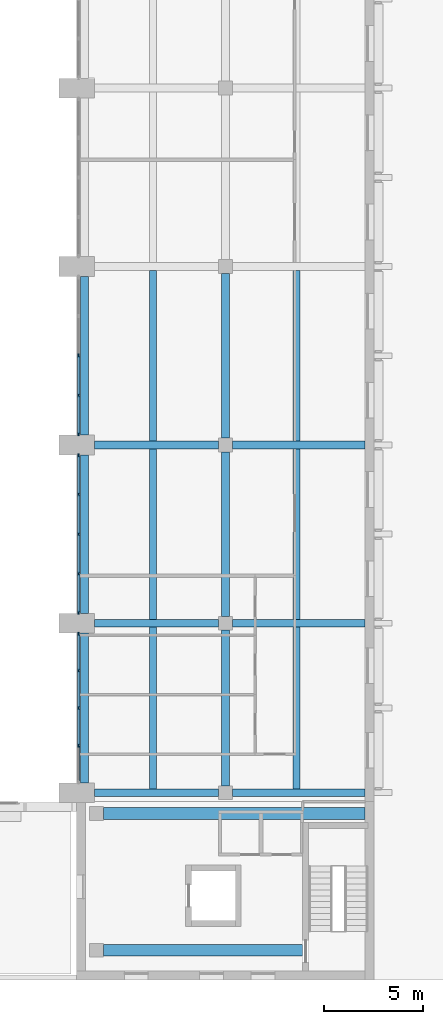
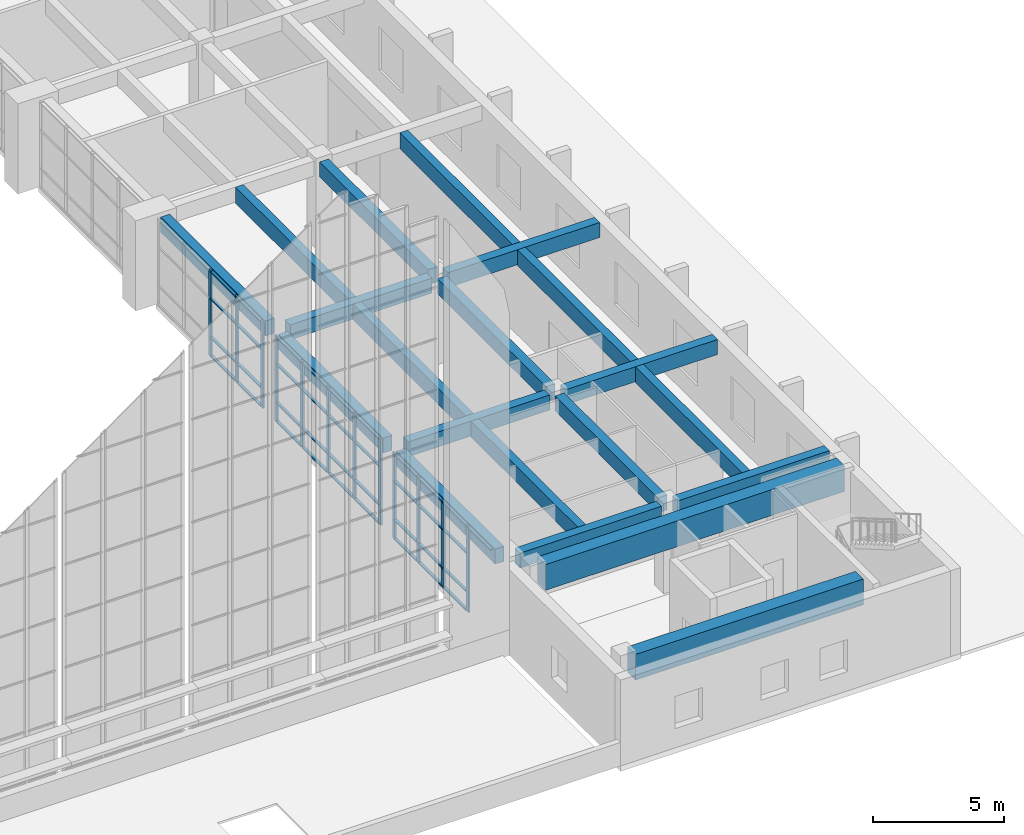
# One storey, part 6 of 45: 49 members, 20 beams, 3 elements without a shape of their own.
"""IFC4 building model written with IfcOpenShell, lengths in metres."""

from ifc_helpers import new_model, si_unit, direction, frame, origin, origin_2d, place, context, subcontext, project, spatial, rectangle, extrude, material, material_profile, profile_set, type_object, element, aggregate, save


model = new_model("IFC4")

# Units and contexts
model_context = context("Model", 3, precision=1e-05, world=origin(), true_north=direction((0.0, 1.0)))
body_context = subcontext(model_context, "Body", "Model", "MODEL_VIEW")
ifc_project = project(units=[si_unit("LENGTHUNIT", "METRE"), si_unit("AREAUNIT", "SQUARE_METRE"), si_unit("VOLUMEUNIT", "CUBIC_METRE"), si_unit("PLANEANGLEUNIT", "RADIAN"), si_unit("MASSUNIT", "GRAM", prefix="KILO")], contexts=[model_context])

# Site, building, storey
site_placement = place(None, origin())
site = spatial("IfcSite", under=ifc_project, at=site_placement, CompositionType="ELEMENT")
building_placement = place(site_placement, origin())
building = spatial("IfcBuilding", under=site, at=building_placement, Name="Elmora Arch Market Hall", CompositionType="ELEMENT")
storey_placement = place(building_placement, frame((0.0, 0.0, 6.0)))
storey = spatial("IfcBuildingStorey", under=building, at=storey_placement, Name="L01", CompositionType="ELEMENT", Elevation=6.0)

# Beams
ifc_material_1 = material(Name="Concrete C32/40", Category="concrete")
ifc_material_profile_1 = material_profile(ifc_material_1, rectangle(XDim=0.60009765625, YDim=1.199951171875, at=origin_2d()), Name="Corner block girder 600x1200")
ifc_profile_set_1 = profile_set([ifc_material_profile_1], Name="Concrete C32/40")
beam_type_1 = type_object("IfcBeamType", Name="Corner block girder 600x1200", PredefinedType="BEAM", material=ifc_profile_set_1)
beam_1_placement = place(storey_placement, frame((44.35009765625, 19.5, 3.39990234375), z_axis=(1.0, 0.0, 0.0), x_axis=(0.0, 1.0, 0.0)))
element("IfcBeam", 1, at=beam_1_placement, inside=storey, type_object=beam_type_1, Name="Corner block girder SER1 L01.1", PredefinedType="BEAM", context=body_context, shape_type="SweptSolid", body=[
    extrude(rectangle(XDim=0.60009765625, YDim=1.199951171875, at=origin_2d()), origin(), (0.0, 0.0, 1.0), 10.0498046875),
])
beam_2_placement = place(storey_placement, frame((44.35009765625, 26.39990234375, 3.39990234375), z_axis=(1.0, 0.0, 0.0), x_axis=(0.0, 1.0, 0.0)))
element("IfcBeam", 2, at=beam_2_placement, inside=storey, type_object=beam_type_1, Name="Corner block girder SER2 L01.1", PredefinedType="BEAM", context=body_context, shape_type="SweptSolid", body=[
    extrude(rectangle(XDim=0.60009765625, YDim=1.199951171875, at=origin_2d()), origin(), (0.0, 0.0, 1.0), 13.199951171875),
])

# Curtain wall, members
ifc_material_2 = material(Name="Aluminium", Category="aluminium")
curtain_wall_type = type_object("IfcCurtainWallType", Name="Hall front curtain wall", PredefinedType="NOTDEFINED", material=ifc_material_2)
curtain_wall_1_placement = place(storey_placement, origin())
curtain_wall_1 = element("IfcCurtainWall", 3, at=curtain_wall_1_placement, inside=storey, type_object=curtain_wall_type, Name="Wing front E L01 1", PredefinedType="NOTDEFINED")
ifc_material_3 = material(Name="Aluminium", Category="aluminium")
ifc_material_profile_2 = material_profile(ifc_material_3, rectangle(XDim=0.080078125, YDim=0.179931640625, at=origin_2d()), Name="AL 80x180")
ifc_profile_set_2 = profile_set([ifc_material_profile_2], Name="Aluminium")
member_type_1 = type_object("IfcMemberType", Name="Mullion 80x180", PredefinedType="MULLION", material=ifc_profile_set_2)
member_1_placement = place(storey_placement, frame((43.10009765625, 29.83740234375, 0.0), z_axis=(0.0, 0.0, 1.0), x_axis=(-1.0, 0.0, 0.0)))
member_1 = element("IfcMember", 4, at=member_1_placement, type_object=member_type_1, Name="CW2 mullion 2", PredefinedType="MULLION", context=body_context, shape_type="SweptSolid", body=[
    extrude(rectangle(XDim=0.080078125, YDim=0.179931640625, at=origin_2d()), origin(), (0.0, 0.0, 1.0), 4.0),
])
member_2_placement = place(storey_placement, frame((43.10009765625, 31.72509765625, 0.0), z_axis=(0.0, 0.0, 1.0), x_axis=(-1.0, 0.0, 0.0)))
member_2 = element("IfcMember", 5, at=member_2_placement, type_object=member_type_1, Name="CW2 mullion 3", PredefinedType="MULLION", context=body_context, shape_type="SweptSolid", body=[
    extrude(rectangle(XDim=0.080078125, YDim=0.179931640625, at=origin_2d()), origin(), (0.0, 0.0, 1.0), 4.0),
])
member_3_placement = place(storey_placement, frame((43.10009765625, 33.612548828125, 0.0), z_axis=(0.0, 0.0, 1.0), x_axis=(-1.0, 0.0, 0.0)))
member_3 = element("IfcMember", 6, at=member_3_placement, type_object=member_type_1, Name="CW2 mullion 4", PredefinedType="MULLION", context=body_context, shape_type="SweptSolid", body=[
    extrude(rectangle(XDim=0.080078125, YDim=0.179931640625, at=origin_2d()), origin(), (0.0, 0.0, 1.0), 4.0),
])
member_4_placement = place(storey_placement, frame((43.10009765625, 35.4599609375, 0.0), z_axis=(0.0, 0.0, 1.0), x_axis=(-1.0, 0.0, 0.0)))
member_4 = element("IfcMember", 7, at=member_4_placement, type_object=member_type_1, Name="CW2 mullion 5", PredefinedType="MULLION", context=body_context, shape_type="SweptSolid", body=[
    extrude(rectangle(XDim=0.080078125, YDim=0.179931640625, at=origin_2d()), origin(), (0.0, 0.0, 1.0), 4.0),
])

curtain_wall_2_placement = place(storey_placement, origin())
curtain_wall_2 = element("IfcCurtainWall", 8, at=curtain_wall_2_placement, inside=storey, type_object=curtain_wall_type, Name="Wing front E L01 2", PredefinedType="NOTDEFINED")
member_5_placement = place(storey_placement, frame((43.10009765625, 36.5400390625, 0.0), z_axis=(0.0, 0.0, 1.0), x_axis=(-1.0, 0.0, 0.0)))
member_5 = element("IfcMember", 9, at=member_5_placement, type_object=member_type_1, Name="CW2 mullion 1", PredefinedType="MULLION", context=body_context, shape_type="SweptSolid", body=[
    extrude(rectangle(XDim=0.080078125, YDim=0.179931640625, at=origin_2d()), origin(), (0.0, 0.0, 1.0), 4.0),
])
member_6_placement = place(storey_placement, frame((43.10009765625, 38.5, 0.0), z_axis=(0.0, 0.0, 1.0), x_axis=(-1.0, 0.0, 0.0)))
member_6 = element("IfcMember", 10, at=member_6_placement, type_object=member_type_1, Name="CW2 mullion 2", PredefinedType="MULLION", context=body_context, shape_type="SweptSolid", body=[
    extrude(rectangle(XDim=0.080078125, YDim=0.179931640625, at=origin_2d()), origin(), (0.0, 0.0, 1.0), 4.0),
])
member_7_placement = place(storey_placement, frame((43.10009765625, 40.5, 0.0), z_axis=(0.0, 0.0, 1.0), x_axis=(-1.0, 0.0, 0.0)))
member_7 = element("IfcMember", 11, at=member_7_placement, type_object=member_type_1, Name="CW2 mullion 3", PredefinedType="MULLION", context=body_context, shape_type="SweptSolid", body=[
    extrude(rectangle(XDim=0.080078125, YDim=0.179931640625, at=origin_2d()), origin(), (0.0, 0.0, 1.0), 4.0),
])
member_8_placement = place(storey_placement, frame((43.10009765625, 42.5, 0.0), z_axis=(0.0, 0.0, 1.0), x_axis=(-1.0, 0.0, 0.0)))
member_8 = element("IfcMember", 12, at=member_8_placement, type_object=member_type_1, Name="CW2 mullion 4", PredefinedType="MULLION", context=body_context, shape_type="SweptSolid", body=[
    extrude(rectangle(XDim=0.080078125, YDim=0.179931640625, at=origin_2d()), origin(), (0.0, 0.0, 1.0), 4.0),
])
member_9_placement = place(storey_placement, frame((43.10009765625, 44.4599609375, 0.0), z_axis=(0.0, 0.0, 1.0), x_axis=(-1.0, 0.0, 0.0)))
member_9 = element("IfcMember", 13, at=member_9_placement, type_object=member_type_1, Name="CW2 mullion 5", PredefinedType="MULLION", context=body_context, shape_type="SweptSolid", body=[
    extrude(rectangle(XDim=0.080078125, YDim=0.179931640625, at=origin_2d()), origin(), (0.0, 0.0, 1.0), 4.0),
])

curtain_wall_3_placement = place(storey_placement, origin())
curtain_wall_3 = element("IfcCurtainWall", 14, at=curtain_wall_3_placement, inside=storey, type_object=curtain_wall_type, Name="Wing front E L01 3", PredefinedType="NOTDEFINED")
member_10_placement = place(storey_placement, frame((43.10009765625, 45.5400390625, 0.0), z_axis=(0.0, 0.0, 1.0), x_axis=(-1.0, 0.0, 0.0)))
member_10 = element("IfcMember", 15, at=member_10_placement, type_object=member_type_1, Name="CW2 mullion 1", PredefinedType="MULLION", context=body_context, shape_type="SweptSolid", body=[
    extrude(rectangle(XDim=0.080078125, YDim=0.179931640625, at=origin_2d()), origin(), (0.0, 0.0, 1.0), 4.0),
])
member_11_placement = place(storey_placement, frame((43.10009765625, 47.5, 0.0), z_axis=(0.0, 0.0, 1.0), x_axis=(-1.0, 0.0, 0.0)))
member_11 = element("IfcMember", 16, at=member_11_placement, type_object=member_type_1, Name="CW2 mullion 2", PredefinedType="MULLION", context=body_context, shape_type="SweptSolid", body=[
    extrude(rectangle(XDim=0.080078125, YDim=0.179931640625, at=origin_2d()), origin(), (0.0, 0.0, 1.0), 4.0),
])
member_12_placement = place(storey_placement, frame((43.10009765625, 49.5, 0.0), z_axis=(0.0, 0.0, 1.0), x_axis=(-1.0, 0.0, 0.0)))
member_12 = element("IfcMember", 17, at=member_12_placement, type_object=member_type_1, Name="CW2 mullion 3", PredefinedType="MULLION", context=body_context, shape_type="SweptSolid", body=[
    extrude(rectangle(XDim=0.080078125, YDim=0.179931640625, at=origin_2d()), origin(), (0.0, 0.0, 1.0), 4.0),
])

# Member
ifc_material_4 = material(Name="Aluminium", Category="aluminium")
ifc_material_profile_3 = material_profile(ifc_material_4, rectangle(XDim=0.1201171875, YDim=0.06005859375, at=origin_2d()), Name="AL 120x60")
ifc_profile_set_3 = profile_set([ifc_material_profile_3], Name="Aluminium")
member_type_2 = type_object("IfcMemberType", Name="Transom 120x60", PredefinedType="USERDEFINED", material=ifc_profile_set_3)
member_13_placement = place(storey_placement, frame((43.10009765625, 28.030029296875, 3.969970703125), z_axis=(0.0, 1.0, 0.0), x_axis=(-1.0, 0.0, 0.0)))
member_13 = element("IfcMember", 18, at=member_13_placement, type_object=member_type_2, Name="CW2 transom 1.4", ObjectType="TRANSOM", PredefinedType="USERDEFINED", context=body_context, shape_type="SweptSolid", body=[
    extrude(rectangle(XDim=0.1201171875, YDim=0.06005859375, at=origin_2d()), origin(), (0.0, 0.0, 1.0), 1.767578125),
])

member_14_placement = place(storey_placement, frame((43.10009765625, 29.87744140625, 0.030029296875), z_axis=(0.0, 1.0, 0.0), x_axis=(-1.0, 0.0, 0.0)))
member_14 = element("IfcMember", 19, at=member_14_placement, type_object=member_type_2, Name="CW2 transom 2.1", ObjectType="TRANSOM", PredefinedType="USERDEFINED", context=body_context, shape_type="SweptSolid", body=[
    extrude(rectangle(XDim=0.1201171875, YDim=0.06005859375, at=origin_2d()), origin(), (0.0, 0.0, 1.0), 1.8076171875),
])

member_15_placement = place(storey_placement, frame((43.10009765625, 29.87744140625, 0.89990234375), z_axis=(0.0, 1.0, 0.0), x_axis=(-1.0, 0.0, 0.0)))
member_15 = element("IfcMember", 20, at=member_15_placement, type_object=member_type_2, Name="CW2 transom 2.2", ObjectType="TRANSOM", PredefinedType="USERDEFINED", context=body_context, shape_type="SweptSolid", body=[
    extrude(rectangle(XDim=0.1201171875, YDim=0.06005859375, at=origin_2d()), origin(), (0.0, 0.0, 1.0), 1.8076171875),
])

member_16_placement = place(storey_placement, frame((43.10009765625, 29.87744140625, 2.699951171875), z_axis=(0.0, 1.0, 0.0), x_axis=(-1.0, 0.0, 0.0)))
member_16 = element("IfcMember", 21, at=member_16_placement, type_object=member_type_2, Name="CW2 transom 2.3", ObjectType="TRANSOM", PredefinedType="USERDEFINED", context=body_context, shape_type="SweptSolid", body=[
    extrude(rectangle(XDim=0.1201171875, YDim=0.06005859375, at=origin_2d()), origin(), (0.0, 0.0, 1.0), 1.8076171875),
])

member_17_placement = place(storey_placement, frame((43.10009765625, 29.87744140625, 3.969970703125), z_axis=(0.0, 1.0, 0.0), x_axis=(-1.0, 0.0, 0.0)))
member_17 = element("IfcMember", 22, at=member_17_placement, type_object=member_type_2, Name="CW2 transom 2.4", ObjectType="TRANSOM", PredefinedType="USERDEFINED", context=body_context, shape_type="SweptSolid", body=[
    extrude(rectangle(XDim=0.1201171875, YDim=0.06005859375, at=origin_2d()), origin(), (0.0, 0.0, 1.0), 1.8076171875),
])

member_18_placement = place(storey_placement, frame((43.10009765625, 31.764892578125, 0.030029296875), z_axis=(0.0, 1.0, 0.0), x_axis=(-1.0, 0.0, 0.0)))
member_18 = element("IfcMember", 23, at=member_18_placement, type_object=member_type_2, Name="CW2 transom 3.1", ObjectType="TRANSOM", PredefinedType="USERDEFINED", context=body_context, shape_type="SweptSolid", body=[
    extrude(rectangle(XDim=0.1201171875, YDim=0.06005859375, at=origin_2d()), origin(), (0.0, 0.0, 1.0), 1.8076171875),
])

member_19_placement = place(storey_placement, frame((43.10009765625, 31.764892578125, 0.89990234375), z_axis=(0.0, 1.0, 0.0), x_axis=(-1.0, 0.0, 0.0)))
member_19 = element("IfcMember", 24, at=member_19_placement, type_object=member_type_2, Name="CW2 transom 3.2", ObjectType="TRANSOM", PredefinedType="USERDEFINED", context=body_context, shape_type="SweptSolid", body=[
    extrude(rectangle(XDim=0.1201171875, YDim=0.06005859375, at=origin_2d()), origin(), (0.0, 0.0, 1.0), 1.8076171875),
])

member_20_placement = place(storey_placement, frame((43.10009765625, 31.764892578125, 2.699951171875), z_axis=(0.0, 1.0, 0.0), x_axis=(-1.0, 0.0, 0.0)))
member_20 = element("IfcMember", 25, at=member_20_placement, type_object=member_type_2, Name="CW2 transom 3.3", ObjectType="TRANSOM", PredefinedType="USERDEFINED", context=body_context, shape_type="SweptSolid", body=[
    extrude(rectangle(XDim=0.1201171875, YDim=0.06005859375, at=origin_2d()), origin(), (0.0, 0.0, 1.0), 1.8076171875),
])

member_21_placement = place(storey_placement, frame((43.10009765625, 31.764892578125, 3.969970703125), z_axis=(0.0, 1.0, 0.0), x_axis=(-1.0, 0.0, 0.0)))
member_21 = element("IfcMember", 26, at=member_21_placement, type_object=member_type_2, Name="CW2 transom 3.4", ObjectType="TRANSOM", PredefinedType="USERDEFINED", context=body_context, shape_type="SweptSolid", body=[
    extrude(rectangle(XDim=0.1201171875, YDim=0.06005859375, at=origin_2d()), origin(), (0.0, 0.0, 1.0), 1.8076171875),
])

member_22_placement = place(storey_placement, frame((43.10009765625, 33.652587890625, 0.030029296875), z_axis=(0.0, 1.0, 0.0), x_axis=(-1.0, 0.0, 0.0)))
member_22 = element("IfcMember", 27, at=member_22_placement, type_object=member_type_2, Name="CW2 transom 4.1", ObjectType="TRANSOM", PredefinedType="USERDEFINED", context=body_context, shape_type="SweptSolid", body=[
    extrude(rectangle(XDim=0.1201171875, YDim=0.06005859375, at=origin_2d()), origin(), (0.0, 0.0, 1.0), 1.767333984375),
])

member_23_placement = place(storey_placement, frame((43.10009765625, 33.652587890625, 0.89990234375), z_axis=(0.0, 1.0, 0.0), x_axis=(-1.0, 0.0, 0.0)))
member_23 = element("IfcMember", 28, at=member_23_placement, type_object=member_type_2, Name="CW2 transom 4.2", ObjectType="TRANSOM", PredefinedType="USERDEFINED", context=body_context, shape_type="SweptSolid", body=[
    extrude(rectangle(XDim=0.1201171875, YDim=0.06005859375, at=origin_2d()), origin(), (0.0, 0.0, 1.0), 1.767333984375),
])

member_24_placement = place(storey_placement, frame((43.10009765625, 33.652587890625, 2.699951171875), z_axis=(0.0, 1.0, 0.0), x_axis=(-1.0, 0.0, 0.0)))
member_24 = element("IfcMember", 29, at=member_24_placement, type_object=member_type_2, Name="CW2 transom 4.3", ObjectType="TRANSOM", PredefinedType="USERDEFINED", context=body_context, shape_type="SweptSolid", body=[
    extrude(rectangle(XDim=0.1201171875, YDim=0.06005859375, at=origin_2d()), origin(), (0.0, 0.0, 1.0), 1.767333984375),
])

member_25_placement = place(storey_placement, frame((43.10009765625, 33.652587890625, 3.969970703125), z_axis=(0.0, 1.0, 0.0), x_axis=(-1.0, 0.0, 0.0)))
member_25 = element("IfcMember", 30, at=member_25_placement, type_object=member_type_2, Name="CW2 transom 4.4", ObjectType="TRANSOM", PredefinedType="USERDEFINED", context=body_context, shape_type="SweptSolid", body=[
    extrude(rectangle(XDim=0.1201171875, YDim=0.06005859375, at=origin_2d()), origin(), (0.0, 0.0, 1.0), 1.767333984375),
])

aggregate(curtain_wall_1, [member_1, member_2, member_3, member_4, member_13, member_14, member_15, member_16, member_17, member_18, member_19, member_20, member_21, member_22, member_23, member_24, member_25])

member_26_placement = place(storey_placement, frame((43.10009765625, 36.580078125, 0.030029296875), z_axis=(0.0, 1.0, 0.0), x_axis=(-1.0, 0.0, 0.0)))
member_26 = element("IfcMember", 31, at=member_26_placement, type_object=member_type_2, Name="CW2 transom 1.1", ObjectType="TRANSOM", PredefinedType="USERDEFINED", context=body_context, shape_type="SweptSolid", body=[
    extrude(rectangle(XDim=0.1201171875, YDim=0.06005859375, at=origin_2d()), origin(), (0.0, 0.0, 1.0), 1.8798828125),
])

member_27_placement = place(storey_placement, frame((43.10009765625, 36.580078125, 0.89990234375), z_axis=(0.0, 1.0, 0.0), x_axis=(-1.0, 0.0, 0.0)))
member_27 = element("IfcMember", 32, at=member_27_placement, type_object=member_type_2, Name="CW2 transom 1.2", ObjectType="TRANSOM", PredefinedType="USERDEFINED", context=body_context, shape_type="SweptSolid", body=[
    extrude(rectangle(XDim=0.1201171875, YDim=0.06005859375, at=origin_2d()), origin(), (0.0, 0.0, 1.0), 1.8798828125),
])

member_28_placement = place(storey_placement, frame((43.10009765625, 36.580078125, 2.699951171875), z_axis=(0.0, 1.0, 0.0), x_axis=(-1.0, 0.0, 0.0)))
member_28 = element("IfcMember", 33, at=member_28_placement, type_object=member_type_2, Name="CW2 transom 1.3", ObjectType="TRANSOM", PredefinedType="USERDEFINED", context=body_context, shape_type="SweptSolid", body=[
    extrude(rectangle(XDim=0.1201171875, YDim=0.06005859375, at=origin_2d()), origin(), (0.0, 0.0, 1.0), 1.8798828125),
])

member_29_placement = place(storey_placement, frame((43.10009765625, 36.580078125, 3.969970703125), z_axis=(0.0, 1.0, 0.0), x_axis=(-1.0, 0.0, 0.0)))
member_29 = element("IfcMember", 34, at=member_29_placement, type_object=member_type_2, Name="CW2 transom 1.4", ObjectType="TRANSOM", PredefinedType="USERDEFINED", context=body_context, shape_type="SweptSolid", body=[
    extrude(rectangle(XDim=0.1201171875, YDim=0.06005859375, at=origin_2d()), origin(), (0.0, 0.0, 1.0), 1.8798828125),
])

member_30_placement = place(storey_placement, frame((43.10009765625, 38.5400390625, 0.030029296875), z_axis=(0.0, 1.0, 0.0), x_axis=(-1.0, 0.0, 0.0)))
member_30 = element("IfcMember", 35, at=member_30_placement, type_object=member_type_2, Name="CW2 transom 2.1", ObjectType="TRANSOM", PredefinedType="USERDEFINED", context=body_context, shape_type="SweptSolid", body=[
    extrude(rectangle(XDim=0.1201171875, YDim=0.06005859375, at=origin_2d()), origin(), (0.0, 0.0, 1.0), 1.919921875),
])

member_31_placement = place(storey_placement, frame((43.10009765625, 38.5400390625, 0.89990234375), z_axis=(0.0, 1.0, 0.0), x_axis=(-1.0, 0.0, 0.0)))
member_31 = element("IfcMember", 36, at=member_31_placement, type_object=member_type_2, Name="CW2 transom 2.2", ObjectType="TRANSOM", PredefinedType="USERDEFINED", context=body_context, shape_type="SweptSolid", body=[
    extrude(rectangle(XDim=0.1201171875, YDim=0.06005859375, at=origin_2d()), origin(), (0.0, 0.0, 1.0), 1.919921875),
])

member_32_placement = place(storey_placement, frame((43.10009765625, 38.5400390625, 2.699951171875), z_axis=(0.0, 1.0, 0.0), x_axis=(-1.0, 0.0, 0.0)))
member_32 = element("IfcMember", 37, at=member_32_placement, type_object=member_type_2, Name="CW2 transom 2.3", ObjectType="TRANSOM", PredefinedType="USERDEFINED", context=body_context, shape_type="SweptSolid", body=[
    extrude(rectangle(XDim=0.1201171875, YDim=0.06005859375, at=origin_2d()), origin(), (0.0, 0.0, 1.0), 1.919921875),
])

member_33_placement = place(storey_placement, frame((43.10009765625, 38.5400390625, 3.969970703125), z_axis=(0.0, 1.0, 0.0), x_axis=(-1.0, 0.0, 0.0)))
member_33 = element("IfcMember", 38, at=member_33_placement, type_object=member_type_2, Name="CW2 transom 2.4", ObjectType="TRANSOM", PredefinedType="USERDEFINED", context=body_context, shape_type="SweptSolid", body=[
    extrude(rectangle(XDim=0.1201171875, YDim=0.06005859375, at=origin_2d()), origin(), (0.0, 0.0, 1.0), 1.919921875),
])

member_34_placement = place(storey_placement, frame((43.10009765625, 40.5400390625, 0.030029296875), z_axis=(0.0, 1.0, 0.0), x_axis=(-1.0, 0.0, 0.0)))
member_34 = element("IfcMember", 39, at=member_34_placement, type_object=member_type_2, Name="CW2 transom 3.1", ObjectType="TRANSOM", PredefinedType="USERDEFINED", context=body_context, shape_type="SweptSolid", body=[
    extrude(rectangle(XDim=0.1201171875, YDim=0.06005859375, at=origin_2d()), origin(), (0.0, 0.0, 1.0), 1.919921875),
])

member_35_placement = place(storey_placement, frame((43.10009765625, 40.5400390625, 0.89990234375), z_axis=(0.0, 1.0, 0.0), x_axis=(-1.0, 0.0, 0.0)))
member_35 = element("IfcMember", 40, at=member_35_placement, type_object=member_type_2, Name="CW2 transom 3.2", ObjectType="TRANSOM", PredefinedType="USERDEFINED", context=body_context, shape_type="SweptSolid", body=[
    extrude(rectangle(XDim=0.1201171875, YDim=0.06005859375, at=origin_2d()), origin(), (0.0, 0.0, 1.0), 1.919921875),
])

member_36_placement = place(storey_placement, frame((43.10009765625, 40.5400390625, 2.699951171875), z_axis=(0.0, 1.0, 0.0), x_axis=(-1.0, 0.0, 0.0)))
member_36 = element("IfcMember", 41, at=member_36_placement, type_object=member_type_2, Name="CW2 transom 3.3", ObjectType="TRANSOM", PredefinedType="USERDEFINED", context=body_context, shape_type="SweptSolid", body=[
    extrude(rectangle(XDim=0.1201171875, YDim=0.06005859375, at=origin_2d()), origin(), (0.0, 0.0, 1.0), 1.919921875),
])

member_37_placement = place(storey_placement, frame((43.10009765625, 40.5400390625, 3.969970703125), z_axis=(0.0, 1.0, 0.0), x_axis=(-1.0, 0.0, 0.0)))
member_37 = element("IfcMember", 42, at=member_37_placement, type_object=member_type_2, Name="CW2 transom 3.4", ObjectType="TRANSOM", PredefinedType="USERDEFINED", context=body_context, shape_type="SweptSolid", body=[
    extrude(rectangle(XDim=0.1201171875, YDim=0.06005859375, at=origin_2d()), origin(), (0.0, 0.0, 1.0), 1.919921875),
])

member_38_placement = place(storey_placement, frame((43.10009765625, 42.5400390625, 0.030029296875), z_axis=(0.0, 1.0, 0.0), x_axis=(-1.0, 0.0, 0.0)))
member_38 = element("IfcMember", 43, at=member_38_placement, type_object=member_type_2, Name="CW2 transom 4.1", ObjectType="TRANSOM", PredefinedType="USERDEFINED", context=body_context, shape_type="SweptSolid", body=[
    extrude(rectangle(XDim=0.1201171875, YDim=0.06005859375, at=origin_2d()), origin(), (0.0, 0.0, 1.0), 1.8798828125),
])

member_39_placement = place(storey_placement, frame((43.10009765625, 42.5400390625, 0.89990234375), z_axis=(0.0, 1.0, 0.0), x_axis=(-1.0, 0.0, 0.0)))
member_39 = element("IfcMember", 44, at=member_39_placement, type_object=member_type_2, Name="CW2 transom 4.2", ObjectType="TRANSOM", PredefinedType="USERDEFINED", context=body_context, shape_type="SweptSolid", body=[
    extrude(rectangle(XDim=0.1201171875, YDim=0.06005859375, at=origin_2d()), origin(), (0.0, 0.0, 1.0), 1.8798828125),
])

member_40_placement = place(storey_placement, frame((43.10009765625, 42.5400390625, 2.699951171875), z_axis=(0.0, 1.0, 0.0), x_axis=(-1.0, 0.0, 0.0)))
member_40 = element("IfcMember", 45, at=member_40_placement, type_object=member_type_2, Name="CW2 transom 4.3", ObjectType="TRANSOM", PredefinedType="USERDEFINED", context=body_context, shape_type="SweptSolid", body=[
    extrude(rectangle(XDim=0.1201171875, YDim=0.06005859375, at=origin_2d()), origin(), (0.0, 0.0, 1.0), 1.8798828125),
])

member_41_placement = place(storey_placement, frame((43.10009765625, 42.5400390625, 3.969970703125), z_axis=(0.0, 1.0, 0.0), x_axis=(-1.0, 0.0, 0.0)))
member_41 = element("IfcMember", 46, at=member_41_placement, type_object=member_type_2, Name="CW2 transom 4.4", ObjectType="TRANSOM", PredefinedType="USERDEFINED", context=body_context, shape_type="SweptSolid", body=[
    extrude(rectangle(XDim=0.1201171875, YDim=0.06005859375, at=origin_2d()), origin(), (0.0, 0.0, 1.0), 1.8798828125),
])

aggregate(curtain_wall_2, [member_5, member_6, member_7, member_8, member_9, member_26, member_27, member_28, member_29, member_30, member_31, member_32, member_33, member_34, member_35, member_36, member_37, member_38, member_39, member_40, member_41])

member_42_placement = place(storey_placement, frame((43.10009765625, 45.580078125, 0.030029296875), z_axis=(0.0, 1.0, 0.0), x_axis=(-1.0, 0.0, 0.0)))
member_42 = element("IfcMember", 47, at=member_42_placement, type_object=member_type_2, Name="CW2 transom 1.1", ObjectType="TRANSOM", PredefinedType="USERDEFINED", context=body_context, shape_type="SweptSolid", body=[
    extrude(rectangle(XDim=0.1201171875, YDim=0.06005859375, at=origin_2d()), origin(), (0.0, 0.0, 1.0), 1.8798828125),
])

member_43_placement = place(storey_placement, frame((43.10009765625, 45.580078125, 0.89990234375), z_axis=(0.0, 1.0, 0.0), x_axis=(-1.0, 0.0, 0.0)))
member_43 = element("IfcMember", 48, at=member_43_placement, type_object=member_type_2, Name="CW2 transom 1.2", ObjectType="TRANSOM", PredefinedType="USERDEFINED", context=body_context, shape_type="SweptSolid", body=[
    extrude(rectangle(XDim=0.1201171875, YDim=0.06005859375, at=origin_2d()), origin(), (0.0, 0.0, 1.0), 1.8798828125),
])

member_44_placement = place(storey_placement, frame((43.10009765625, 45.580078125, 2.699951171875), z_axis=(0.0, 1.0, 0.0), x_axis=(-1.0, 0.0, 0.0)))
member_44 = element("IfcMember", 49, at=member_44_placement, type_object=member_type_2, Name="CW2 transom 1.3", ObjectType="TRANSOM", PredefinedType="USERDEFINED", context=body_context, shape_type="SweptSolid", body=[
    extrude(rectangle(XDim=0.1201171875, YDim=0.06005859375, at=origin_2d()), origin(), (0.0, 0.0, 1.0), 1.8798828125),
])

member_45_placement = place(storey_placement, frame((43.10009765625, 45.580078125, 3.969970703125), z_axis=(0.0, 1.0, 0.0), x_axis=(-1.0, 0.0, 0.0)))
member_45 = element("IfcMember", 50, at=member_45_placement, type_object=member_type_2, Name="CW2 transom 1.4", ObjectType="TRANSOM", PredefinedType="USERDEFINED", context=body_context, shape_type="SweptSolid", body=[
    extrude(rectangle(XDim=0.1201171875, YDim=0.06005859375, at=origin_2d()), origin(), (0.0, 0.0, 1.0), 1.8798828125),
])

member_46_placement = place(storey_placement, frame((43.10009765625, 47.5400390625, 0.030029296875), z_axis=(0.0, 1.0, 0.0), x_axis=(-1.0, 0.0, 0.0)))
member_46 = element("IfcMember", 51, at=member_46_placement, type_object=member_type_2, Name="CW2 transom 2.1", ObjectType="TRANSOM", PredefinedType="USERDEFINED", context=body_context, shape_type="SweptSolid", body=[
    extrude(rectangle(XDim=0.1201171875, YDim=0.06005859375, at=origin_2d()), origin(), (0.0, 0.0, 1.0), 1.919921875),
])

member_47_placement = place(storey_placement, frame((43.10009765625, 47.5400390625, 0.89990234375), z_axis=(0.0, 1.0, 0.0), x_axis=(-1.0, 0.0, 0.0)))
member_47 = element("IfcMember", 52, at=member_47_placement, type_object=member_type_2, Name="CW2 transom 2.2", ObjectType="TRANSOM", PredefinedType="USERDEFINED", context=body_context, shape_type="SweptSolid", body=[
    extrude(rectangle(XDim=0.1201171875, YDim=0.06005859375, at=origin_2d()), origin(), (0.0, 0.0, 1.0), 1.919921875),
])

member_48_placement = place(storey_placement, frame((43.10009765625, 47.5400390625, 2.699951171875), z_axis=(0.0, 1.0, 0.0), x_axis=(-1.0, 0.0, 0.0)))
member_48 = element("IfcMember", 53, at=member_48_placement, type_object=member_type_2, Name="CW2 transom 2.3", ObjectType="TRANSOM", PredefinedType="USERDEFINED", context=body_context, shape_type="SweptSolid", body=[
    extrude(rectangle(XDim=0.1201171875, YDim=0.06005859375, at=origin_2d()), origin(), (0.0, 0.0, 1.0), 1.919921875),
])

member_49_placement = place(storey_placement, frame((43.10009765625, 47.5400390625, 3.969970703125), z_axis=(0.0, 1.0, 0.0), x_axis=(-1.0, 0.0, 0.0)))
member_49 = element("IfcMember", 54, at=member_49_placement, type_object=member_type_2, Name="CW2 transom 2.4", ObjectType="TRANSOM", PredefinedType="USERDEFINED", context=body_context, shape_type="SweptSolid", body=[
    extrude(rectangle(XDim=0.1201171875, YDim=0.06005859375, at=origin_2d()), origin(), (0.0, 0.0, 1.0), 1.919921875),
])

aggregate(curtain_wall_3, [member_10, member_11, member_12, member_42, member_43, member_44, member_45, member_46, member_47, member_48, member_49])

# Beams
ifc_material_5 = material(Name="Concrete C32/40", Category="concrete")
ifc_material_profile_4 = material_profile(ifc_material_5, rectangle(XDim=0.39990234375, YDim=0.699951171875, at=origin_2d()), Name="Wing beam 400x700")
ifc_profile_set_4 = profile_set([ifc_material_profile_4], Name="Concrete C32/40")
beam_type_2 = type_object("IfcBeamType", Name="Wing beam 400x700", PredefinedType="BEAM", material=ifc_profile_set_4)
beam_3_placement = place(storey_placement, frame((43.89990234375, 27.449951171875, 3.64990234375), z_axis=(1.0, 0.0, 0.0), x_axis=(0.0, 1.0, 0.0)))
element("IfcBeam", 55, at=beam_3_placement, inside=storey, type_object=beam_type_2, Name="Wing beam ER1 L01.1", PredefinedType="BEAM", context=body_context, shape_type="SweptSolid", body=[
    extrude(rectangle(XDim=0.39990234375, YDim=0.699951171875, at=origin_2d()), origin(), (0.0, 0.0, 1.0), 6.25),
])
beam_4_placement = place(storey_placement, frame((50.85009765625, 27.449951171875, 3.64990234375), z_axis=(1.0, 0.0, 0.0), x_axis=(0.0, 1.0, 0.0)))
element("IfcBeam", 56, at=beam_4_placement, inside=storey, type_object=beam_type_2, Name="Wing beam ER1 L01.2", PredefinedType="BEAM", context=body_context, shape_type="SweptSolid", body=[
    extrude(rectangle(XDim=0.39990234375, YDim=0.699951171875, at=origin_2d()), origin(), (0.0, 0.0, 1.0), 6.699951171875),
])
beam_5_placement = place(storey_placement, frame((43.89990234375, 36.0, 3.64990234375), z_axis=(1.0, 0.0, 0.0), x_axis=(0.0, 1.0, 0.0)))
element("IfcBeam", 57, at=beam_5_placement, inside=storey, type_object=beam_type_2, Name="Wing beam ER2 L01.1", PredefinedType="BEAM", context=body_context, shape_type="SweptSolid", body=[
    extrude(rectangle(XDim=0.39990234375, YDim=0.699951171875, at=origin_2d()), origin(), (0.0, 0.0, 1.0), 6.25),
])
beam_6_placement = place(storey_placement, frame((50.85009765625, 36.0, 3.64990234375), z_axis=(1.0, 0.0, 0.0), x_axis=(0.0, 1.0, 0.0)))
element("IfcBeam", 58, at=beam_6_placement, inside=storey, type_object=beam_type_2, Name="Wing beam ER2 L01.2", PredefinedType="BEAM", context=body_context, shape_type="SweptSolid", body=[
    extrude(rectangle(XDim=0.39990234375, YDim=0.699951171875, at=origin_2d()), origin(), (0.0, 0.0, 1.0), 6.699951171875),
])
beam_7_placement = place(storey_placement, frame((43.89990234375, 45.0, 3.64990234375), z_axis=(1.0, 0.0, 0.0), x_axis=(0.0, 1.0, 0.0)))
element("IfcBeam", 59, at=beam_7_placement, inside=storey, type_object=beam_type_2, Name="Wing beam ER3 L01.1", PredefinedType="BEAM", context=body_context, shape_type="SweptSolid", body=[
    extrude(rectangle(XDim=0.39990234375, YDim=0.699951171875, at=origin_2d()), origin(), (0.0, 0.0, 1.0), 6.25),
])
beam_8_placement = place(storey_placement, frame((50.85009765625, 45.0, 3.64990234375), z_axis=(1.0, 0.0, 0.0), x_axis=(0.0, 1.0, 0.0)))
element("IfcBeam", 60, at=beam_8_placement, inside=storey, type_object=beam_type_2, Name="Wing beam ER3 L01.2", PredefinedType="BEAM", context=body_context, shape_type="SweptSolid", body=[
    extrude(rectangle(XDim=0.39990234375, YDim=0.699951171875, at=origin_2d()), origin(), (0.0, 0.0, 1.0), 6.699951171875),
])
beam_9_placement = place(storey_placement, frame((50.5, 27.800048828125, 3.64990234375), z_axis=(0.0, 1.0, 0.0), x_axis=(-1.0, 0.0, 0.0)))
element("IfcBeam", 61, at=beam_9_placement, inside=storey, type_object=beam_type_2, Name="Wing beam EG L01.1", PredefinedType="BEAM", context=body_context, shape_type="SweptSolid", body=[
    extrude(rectangle(XDim=0.39990234375, YDim=0.699951171875, at=origin_2d()), origin(), (0.0, 0.0, 1.0), 7.849853515625),
])
for number, where, z_axis, x_axis, name in (
    (62, (50.5, 36.35009765625, 3.64990234375), (0.0, 1.0, 0.0), (-1.0, 0.0, 0.0), "Wing beam EG L01.2"),
    (63, (50.5, 45.35009765625, 3.64990234375), (0.0, 1.0, 0.0), (-1.0, 0.0, 0.0), "Wing beam EG L01.3"),
):
    element("IfcBeam", number, at=place(storey_placement, frame(where, z_axis=z_axis, x_axis=x_axis)), inside=storey, type_object=beam_type_2, Name=name, PredefinedType="BEAM", context=body_context, shape_type="SweptSolid", body=[
        extrude(rectangle(XDim=0.39990234375, YDim=0.699951171875, at=origin_2d()), origin(), (0.0, 0.0, 1.0), 8.2998046875),
    ])
beam_10_placement = place(storey_placement, frame((43.39990234375, 27.949951171875, 3.64990234375), z_axis=(0.0, 1.0, 0.0), x_axis=(-1.0, 0.0, 0.0)))
element("IfcBeam", 64, at=beam_10_placement, inside=storey, type_object=beam_type_2, Name="Wing beam EEB L01.1", PredefinedType="BEAM", context=body_context, shape_type="SweptSolid", body=[
    extrude(rectangle(XDim=0.39990234375, YDim=0.699951171875, at=origin_2d()), origin(), (0.0, 0.0, 1.0), 7.550048828125),
])
for number, where, z_axis, x_axis, name in (
    (65, (43.39990234375, 36.5, 3.64990234375), (0.0, 1.0, 0.0), (-1.0, 0.0, 0.0), "Wing beam EEB L01.2"),
    (66, (43.39990234375, 45.5, 3.64990234375), (0.0, 1.0, 0.0), (-1.0, 0.0, 0.0), "Wing beam EEB L01.3"),
):
    element("IfcBeam", number, at=place(storey_placement, frame(where, z_axis=z_axis, x_axis=x_axis)), inside=storey, type_object=beam_type_2, Name=name, PredefinedType="BEAM", context=body_context, shape_type="SweptSolid", body=[
        extrude(rectangle(XDim=0.39990234375, YDim=0.699951171875, at=origin_2d()), origin(), (0.0, 0.0, 1.0), 8.0),
    ])
ifc_material_6 = material(Name="Concrete C32/40", Category="concrete")
ifc_material_profile_5 = material_profile(ifc_material_6, rectangle(XDim=0.35009765625, YDim=0.75, at=origin_2d()), Name="Wing joist 350x750")
ifc_profile_set_5 = profile_set([ifc_material_profile_5], Name="Concrete C32/40")
beam_type_3 = type_object("IfcBeamType", Name="Wing joist 350x750", PredefinedType="JOIST", material=ifc_profile_set_5)
beam_11_placement = place(storey_placement, frame((46.85009765625, 27.64990234375, 3.625), z_axis=(0.0, 1.0, 0.0), x_axis=(-1.0, 0.0, 0.0)))
element("IfcBeam", 67, at=beam_11_placement, inside=storey, type_object=beam_type_3, Name="Wing joist EJ1 L01.1", PredefinedType="JOIST", context=body_context, shape_type="SweptSolid", body=[
    extrude(rectangle(XDim=0.35009765625, YDim=0.75, at=origin_2d()), origin(), (0.0, 0.0, 1.0), 8.150146484375),
])
for number, where, z_axis, x_axis, name in (
    (68, (46.85009765625, 36.199951171875, 3.625), (0.0, 1.0, 0.0), (-1.0, 0.0, 0.0), "Wing joist EJ1 L01.2"),
    (69, (46.85009765625, 45.199951171875, 3.625), (0.0, 1.0, 0.0), (-1.0, 0.0, 0.0), "Wing joist EJ1 L01.3"),
):
    element("IfcBeam", number, at=place(storey_placement, frame(where, z_axis=z_axis, x_axis=x_axis)), inside=storey, type_object=beam_type_3, Name=name, PredefinedType="JOIST", context=body_context, shape_type="SweptSolid", body=[
        extrude(rectangle(XDim=0.35009765625, YDim=0.75, at=origin_2d()), origin(), (0.0, 0.0, 1.0), 8.60009765625),
    ])
beam_12_placement = place(storey_placement, frame((54.10009765625, 27.64990234375, 3.625), z_axis=(0.0, 1.0, 0.0), x_axis=(-1.0, 0.0, 0.0)))
element("IfcBeam", 70, at=beam_12_placement, inside=storey, type_object=beam_type_3, Name="Wing joist EJ2 L01.1", PredefinedType="JOIST", context=body_context, shape_type="SweptSolid", body=[
    extrude(rectangle(XDim=0.35009765625, YDim=0.75, at=origin_2d()), origin(), (0.0, 0.0, 1.0), 8.150146484375),
])
for number, where, z_axis, x_axis, name in (
    (71, (54.10009765625, 36.199951171875, 3.625), (0.0, 1.0, 0.0), (-1.0, 0.0, 0.0), "Wing joist EJ2 L01.2"),
    (72, (54.10009765625, 45.199951171875, 3.625), (0.0, 1.0, 0.0), (-1.0, 0.0, 0.0), "Wing joist EJ2 L01.3"),
):
    element("IfcBeam", number, at=place(storey_placement, frame(where, z_axis=z_axis, x_axis=x_axis)), inside=storey, type_object=beam_type_3, Name=name, PredefinedType="JOIST", context=body_context, shape_type="SweptSolid", body=[
        extrude(rectangle(XDim=0.35009765625, YDim=0.75, at=origin_2d()), origin(), (0.0, 0.0, 1.0), 8.60009765625),
    ])

save(model, "model.ifc")
